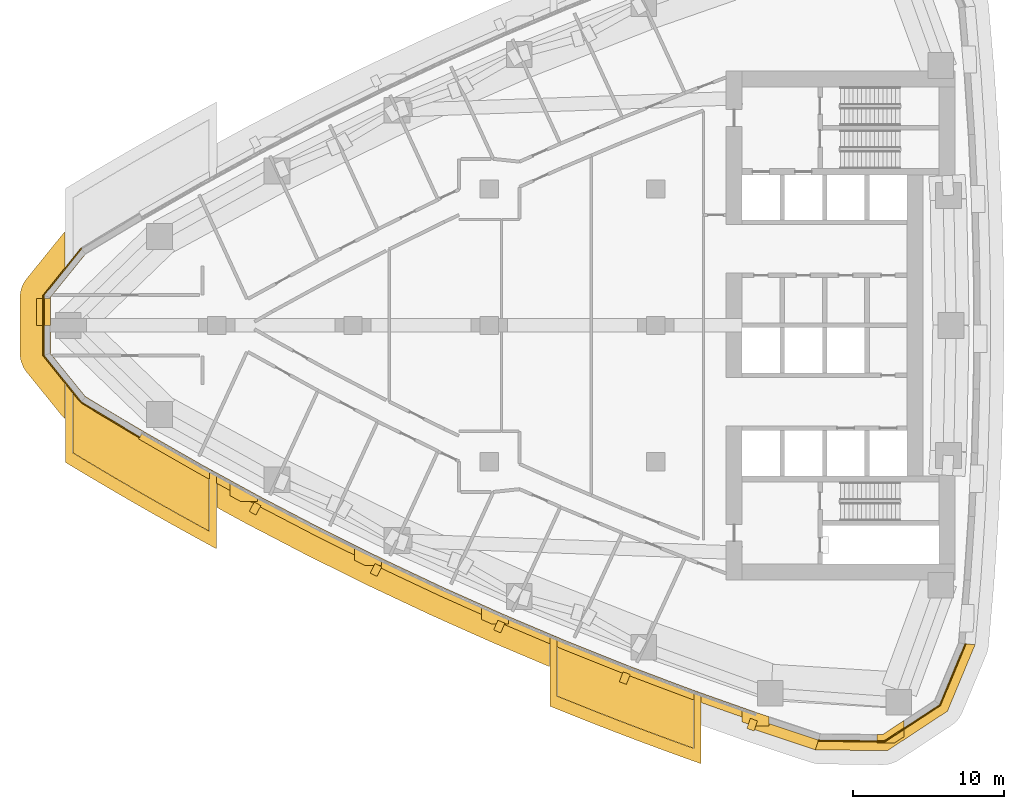
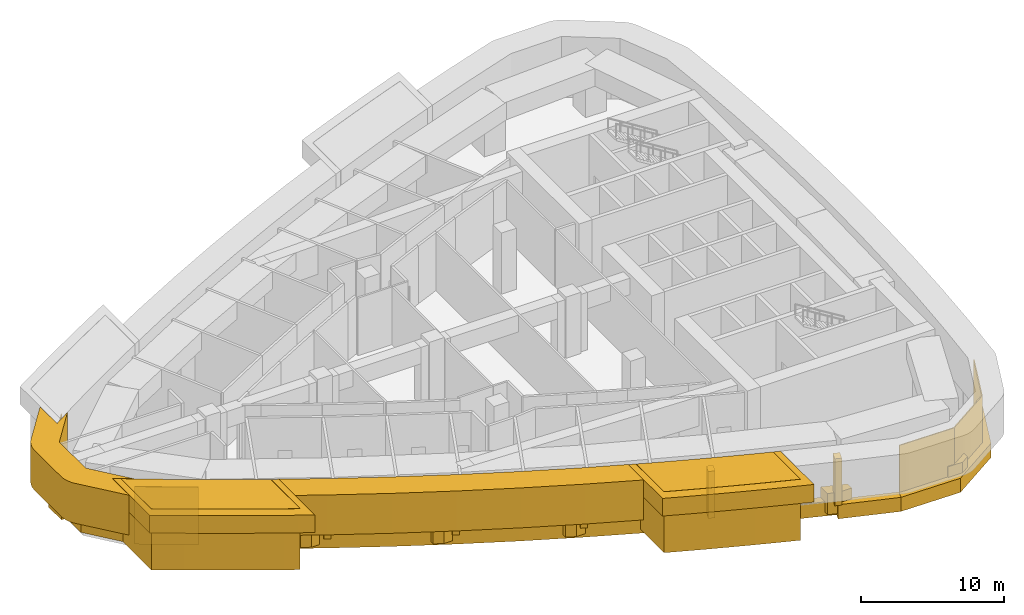
# One storey, part 15 of 19: 27 coverings.
"""IFC4 building model written with IfcOpenShell, lengths in metres."""

from ifc_helpers import new_model, si_unit, direction, frame, frame_2d, origin, place, context, subcontext, project, spatial, polyline, rectangle, outline, extrude, material, layer, layer_set, type_object, element, save


model = new_model("IFC4")

# Units and contexts
model_context = context("Model", 3, precision=1e-05, world=origin(), true_north=direction((0.0, 1.0)))
body_context = subcontext(model_context, "Body", "Model", "MODEL_VIEW")
ifc_project = project(units=[si_unit("LENGTHUNIT", "METRE"), si_unit("AREAUNIT", "SQUARE_METRE"), si_unit("VOLUMEUNIT", "CUBIC_METRE"), si_unit("PLANEANGLEUNIT", "RADIAN"), si_unit("MASSUNIT", "GRAM", prefix="KILO")], contexts=[model_context])

# Site, building, storey
site_placement = place(None, origin())
site = spatial("IfcSite", under=ifc_project, at=site_placement, CompositionType="ELEMENT")
building_placement = place(site_placement, origin())
building = spatial("IfcBuilding", under=site, at=building_placement, Name="Ostrand Prow Hotel Tower", CompositionType="ELEMENT")
storey_placement = place(building_placement, frame((0.0, 0.0, 120.39990234375)))
storey = spatial("IfcBuildingStorey", under=building, at=storey_placement, Name="L29", CompositionType="ELEMENT", Elevation=120.39990234375)

# Coverings
ifc_material_1 = material(Name="Limestone cladding", Category="masonry")
ifc_layer_1 = layer(ifc_material_1, 2.0)
ifc_layer_set_1 = layer_set([ifc_layer_1], Name="Limestone cladding")
covering_type_1 = type_object("IfcCoveringType", Name="Belt lip limestone", PredefinedType="CLADDING", material=ifc_layer_set_1)
covering_1_placement = place(storey_placement, frame((0.0, 0.0, 1.800048828125)))
element("IfcCovering", 1, at=covering_1_placement, inside=storey, type_object=covering_type_1, Name="Belt L29 1", PredefinedType="CLADDING", context=body_context, shape_type="SweptSolid", body=[
    extrude(outline(polyline([(5.878173828125, -6.0771484375), (5.989990234375, -6.183349609375), (5.989990234375, -3.873779296875), (5.989990234375, -3.872802734375), (5.990234375, -3.871826171875), (5.990478515625, -3.870849609375), (5.99072265625, -3.869873046875), (5.9912109375, -3.869140625), (5.99169921875, -3.8681640625), (5.9921875, -3.867431640625), (5.992919921875, -3.86669921875), (5.993408203125, -3.8662109375), (5.994384765625, -3.865478515625), (5.9951171875, -3.864990234375), (5.99609375, -3.864501953125), (5.996826171875, -3.8642578125), (5.997802734375, -3.864013671875), (5.998779296875, -3.86376953125), (5.999755859375, -3.86376953125), (6.000732421875, -3.86376953125), (6.001708984375, -3.86376953125), (6.002685546875, -3.864013671875), (6.00341796875, -3.8642578125), (6.00439453125, -3.86474609375), (6.00537109375, -3.865234375), (6.755859375, -4.330078125), (7.255859375, -4.63818359375), (7.296875, -4.6630859375), (5.00830078125, -1.8349609375), (5.00830078125, 1.8349609375), (7.296875, 4.6630859375), (7.255859375, 4.63818359375), (6.755859375, 4.330078125), (6.00537109375, 3.865234375), (6.00439453125, 3.86474609375), (6.00341796875, 3.8642578125), (6.002685546875, 3.864013671875), (6.001708984375, 3.86376953125), (6.000732421875, 3.86376953125), (5.999755859375, 3.86376953125), (5.998779296875, 3.86376953125), (5.997802734375, 3.864013671875), (5.996826171875, 3.8642578125), (5.99609375, 3.864501953125), (5.9951171875, 3.864990234375), (5.994384765625, 3.865478515625), (5.993408203125, 3.8662109375), (5.992919921875, 3.86669921875), (5.9921875, 3.867431640625), (5.99169921875, 3.8681640625), (5.9912109375, 3.869140625), (5.99072265625, 3.869873046875), (5.990478515625, 3.870849609375), (5.990234375, 3.871826171875), (5.989990234375, 3.872802734375), (5.989990234375, 3.873779296875), (5.989990234375, 6.183349609375), (5.878173828125, 6.0771484375), (5.76220703125, 5.946044921875), (3.45361328125, 3.093017578125), (3.3388671875, 2.936279296875), (3.23974609375, 2.76904296875), (3.157470703125, 2.593017578125), (3.0927734375, 2.409912109375), (3.0458984375, 2.22119140625), (3.017578125, 2.029052734375), (3.00830078125, 1.8349609375), (3.00830078125, -1.8349609375), (3.017578125, -2.029052734375), (3.0458984375, -2.22119140625), (3.0927734375, -2.409912109375), (3.157470703125, -2.593017578125), (3.23974609375, -2.76904296875), (3.3388671875, -2.936279296875), (3.45361328125, -3.093017578125), (5.76220703125, -5.946044921875), (5.878173828125, -6.0771484375)])), origin(), (0.0, 0.0, 1.0), 3.400146484375),
])
covering_2_placement = place(storey_placement, frame((0.0, 0.0, 1.800048828125)))
element("IfcCovering", 2, at=covering_2_placement, inside=storey, type_object=covering_type_1, Name="Belt L29 2", PredefinedType="CLADDING", context=body_context, shape_type="SweptSolid", body=[
    extrude(outline(polyline([(34.22509765625, -20.951904296875), (37.989990234375, -22.5439453125), (37.989990234375, -20.38623046875), (37.989990234375, -20.38525390625), (37.990234375, -20.38427734375), (37.990478515625, -20.38330078125), (37.99072265625, -20.382568359375), (37.9912109375, -20.381591796875), (37.99169921875, -20.380615234375), (37.9921875, -20.3798828125), (37.992919921875, -20.379150390625), (37.99365234375, -20.378662109375), (37.994384765625, -20.3779296875), (37.995361328125, -20.37744140625), (37.99609375, -20.376953125), (37.9970703125, -20.376708984375), (37.998046875, -20.37646484375), (37.9990234375, -20.376220703125), (37.9990234375, -20.376220703125), (35.004150390625, -19.10986328125), (30.928955078125, -17.289306640625), (26.89111328125, -15.3876953125), (22.89208984375, -13.4052734375), (18.93359375, -11.343505859375), (16.0087890625, -9.74462890625), (16.0087890625, -9.744873046875), (16.00927734375, -9.74560546875), (16.009521484375, -9.74658203125), (16.009765625, -9.74755859375), (16.010009765625, -9.74853515625), (16.010009765625, -9.74951171875), (16.010009765625, -12.024658203125), (17.974365234375, -13.098388671875), (18.009765625, -13.1171875), (21.96826171875, -15.17919921875), (22.00390625, -15.197265625), (26.0029296875, -17.179443359375), (26.038818359375, -17.197021484375), (30.076904296875, -19.0986328125), (30.11328125, -19.115478515625), (34.1884765625, -20.935791015625), (34.22509765625, -20.951904296875)])), origin(), (0.0, 0.0, 1.0), 3.400146484375),
])
covering_3_placement = place(storey_placement, origin())
element("IfcCovering", 3, at=covering_3_placement, inside=storey, type_object=covering_type_1, Name="Belt fin 1 L29", PredefinedType="CLADDING", context=body_context, shape_type="SweptSolid", body=[
    extrude(outline(polyline([(4.1083984375, 1.785888671875), (4.1083984375, 0.0), (4.1083984375, -0.013916015625), (5.00830078125, -0.013916015625), (5.00830078125, 1.785888671875), (4.1083984375, 1.785888671875)])), origin(), (0.0, 0.0, 1.0), 1.800048828125),
])
covering_4_placement = place(storey_placement, origin())
element("IfcCovering", 4, at=covering_4_placement, inside=storey, type_object=covering_type_1, Name="Belt fin 3 L29", PredefinedType="CLADDING", context=body_context, shape_type="SweptSolid", body=[
    extrude(outline(polyline([(16.888671875, -11.251220703125), (17.558837890625, -11.61767578125), (18.688720703125, -11.61767578125), (18.688720703125, -11.209716796875), (16.888671875, -10.2255859375), (16.888671875, -11.251220703125)])), origin(), (0.0, 0.0, 1.0), 1.800048828125),
])
covering_5_placement = place(storey_placement, origin())
element("IfcCovering", 5, at=covering_5_placement, inside=storey, type_object=covering_type_1, Name="Belt fin 4 L29", PredefinedType="CLADDING", context=body_context, shape_type="SweptSolid", body=[
    extrude(outline(polyline([(25.10107421875, -15.5048828125), (25.790283203125, -15.846435546875), (26.901123046875, -15.846435546875), (26.901123046875, -15.392333984375), (26.89111328125, -15.3876953125), (25.10107421875, -14.500244140625), (25.10107421875, -15.5048828125)])), origin(), (0.0, 0.0, 1.0), 1.800048828125),
])
covering_6_placement = place(storey_placement, origin())
element("IfcCovering", 6, at=covering_6_placement, inside=storey, type_object=covering_type_1, Name="Belt fin 5 L29", PredefinedType="CLADDING", context=body_context, shape_type="SweptSolid", body=[
    extrude(outline(polyline([(33.481689453125, -19.415283203125), (34.189697265625, -19.731689453125), (35.281494140625, -19.731689453125), (35.281494140625, -19.22705078125), (35.004150390625, -19.10986328125), (33.481689453125, -18.4296875), (33.481689453125, -19.415283203125)])), origin(), (0.0, 0.0, 1.0), 1.800048828125),
])
covering_7_placement = place(storey_placement, origin())
element("IfcCovering", 7, at=covering_7_placement, inside=storey, type_object=covering_type_1, Name="Belt fin 7 L29", PredefinedType="CLADDING", context=body_context, shape_type="SweptSolid", body=[
    extrude(outline(polyline([(51.36181640625, -26.419189453125), (51.440185546875, -26.4453125), (52.4892578125, -26.4453125), (52.4892578125, -25.8447265625), (51.644775390625, -25.56494140625), (50.689208984375, -25.22705078125), (50.689208984375, -26.181640625), (51.344482421875, -26.41357421875), (51.36181640625, -26.419189453125)])), origin(), (0.0, 0.0, 1.0), 1.800048828125),
])
covering_8_placement = place(storey_placement, origin())
element("IfcCovering", 8, at=covering_8_placement, inside=storey, type_object=covering_type_1, Name="Belt fin 8 L29", PredefinedType="CLADDING", context=body_context, shape_type="SweptSolid", body=[
    extrude(outline(polyline([(60.765380859375, -27.5830078125), (61.39599609375, -27.168212890625), (61.39599609375, -26.0908203125), (59.982666015625, -27.020751953125), (59.595947265625, -27.015869140625), (59.595947265625, -27.5830078125), (60.765380859375, -27.5830078125)])), origin(), (0.0, 0.0, 1.0), 1.800048828125),
])
ifc_material_2 = material(Name="Bronze anodised aluminium cladding", Category="aluminium")
ifc_layer_2 = layer(ifc_material_2, 0.60009765625)
ifc_layer_set_2 = layer_set([ifc_layer_2], Name="Bronze anodised aluminium cladding")
covering_type_2 = type_object("IfcCoveringType", Name="Bronze spandrel band 1200x600", PredefinedType="CLADDING", material=ifc_layer_set_2)
covering_9_placement = place(storey_placement, frame((0.0, 0.0, -0.2998046875)))
element("IfcCovering", 9, at=covering_9_placement, inside=storey, type_object=covering_type_2, Name="Spandrel band S1", PredefinedType="CLADDING", context=body_context, shape_type="SweptSolid", body=[
    extrude(outline(polyline([(10.841064453125, -7.50146484375), (14.72412109375, -9.726318359375), (18.651123046875, -11.872802734375), (22.620361328125, -13.940185546875), (26.6298828125, -15.927734375), (30.6787109375, -17.834716796875), (34.764892578125, -19.659912109375), (38.88671875, -21.4033203125), (43.042724609375, -23.0634765625), (47.231201171875, -24.64013671875), (51.4501953125, -26.1328125), (51.644775390625, -25.56494140625), (47.43701171875, -24.076416015625), (43.259765625, -22.504150390625), (39.114990234375, -20.848388671875), (35.004150390625, -19.10986328125), (30.928955078125, -17.289306640625), (26.89111328125, -15.3876953125), (22.89208984375, -13.4052734375), (18.93359375, -11.343505859375), (15.01708984375, -9.20263671875), (11.144287109375, -6.98388671875), (10.841064453125, -7.50146484375)])), origin(), (0.0, 0.0, 1.0), 1.199951171875),
])
covering_10_placement = place(storey_placement, frame((0.0, 0.0, -0.2998046875)))
element("IfcCovering", 10, at=covering_10_placement, inside=storey, type_object=covering_type_2, Name="Spandrel band back 1", PredefinedType="CLADDING", context=body_context, shape_type="SweptSolid", body=[
    extrude(outline(polyline([(51.28369140625, -26.619384765625), (55.54150390625, -28.0302734375), (55.7490234375, -27.3828125), (51.50390625, -25.97607421875), (51.28369140625, -26.619384765625)])), origin(), (0.0, 0.0, 1.0), 1.199951171875),
])
covering_11_placement = place(storey_placement, frame((0.0, 0.0, -0.2998046875)))
element("IfcCovering", 11, at=covering_11_placement, inside=storey, type_object=covering_type_2, Name="Spandrel band back 2", PredefinedType="CLADDING", context=body_context, shape_type="SweptSolid", body=[
    extrude(outline(polyline([(55.54150390625, -28.0302734375), (60.2958984375, -28.09033203125), (64.267578125, -25.476806640625), (66.09326171875, -21.086669921875), (65.49609375, -21.02880859375), (63.805419921875, -25.093994140625), (60.127197265625, -27.514404296875), (55.724609375, -27.458984375), (55.54150390625, -28.0302734375)])), origin(), (0.0, 0.0, 1.0), 1.199951171875),
])
ifc_material_3 = material(Name="Limestone cladding", Category="masonry")
ifc_layer_3 = layer(ifc_material_3, 5.0)
ifc_layer_set_3 = layer_set([ifc_layer_3], Name="Limestone cladding")
covering_type_3 = type_object("IfcCoveringType", Name="Portal jamb pilaster limestone", PredefinedType="CLADDING", material=ifc_layer_set_3)
covering_12_placement = place(storey_placement, origin())
element("IfcCovering", 12, at=covering_12_placement, inside=storey, type_object=covering_type_3, Name="Portal jamb SA L29", PredefinedType="CLADDING", context=body_context, shape_type="SweptSolid", body=[
    extrude(outline(polyline([(6.5, -4.184326171875), (6.5, -8.40625), (7.5, -9.0087890625), (8.5, -9.604248046875), (9.5, -10.19287109375), (10.5, -10.7744140625), (11.5, -11.349365234375), (12.5, -11.91748046875), (13.5, -12.478759765625), (14.5, -13.03369140625), (15.5, -13.581787109375), (15.5, -9.47216796875), (14.5, -8.912353515625), (13.5, -8.345703125), (12.5, -7.772216796875), (11.5, -7.19189453125), (10.5, -6.6044921875), (9.5, -6.01025390625), (8.5, -5.40869140625), (7.5, -4.80029296875), (6.5, -4.184326171875)])), origin(), (0.0, 0.0, 1.0), 5.2001953125),
])
covering_13_placement = place(storey_placement, origin())
element("IfcCovering", 13, at=covering_13_placement, inside=storey, type_object=covering_type_3, Name="Portal jamb SB L29", PredefinedType="CLADDING", context=body_context, shape_type="SweptSolid", body=[
    extrude(outline(polyline([(38.5, -20.59423828125), (38.5, -24.486083984375), (39.5, -24.890380859375), (40.5, -25.2890625), (41.5, -25.68212890625), (42.5, -26.06982421875), (43.5, -26.4521484375), (44.5, -26.8291015625), (45.5, -27.200439453125), (46.5, -27.566650390625), (47.5, -27.927490234375), (47.5, -24.099609375), (46.5, -23.732177734375), (45.5, -23.359130859375), (44.5, -22.98095703125), (43.5, -22.59716796875), (42.5, -22.207763671875), (41.5, -21.812744140625), (40.5, -21.412353515625), (39.5, -21.006103515625), (38.5, -20.59423828125)])), origin(), (0.0, 0.0, 1.0), 5.2001953125),
])
ifc_material_4 = material(Name="Limestone cladding", Category="masonry")
ifc_layer_4 = layer(ifc_material_4, 4.0)
ifc_layer_set_4 = layer_set([ifc_layer_4], Name="Limestone cladding")
covering_type_4 = type_object("IfcCoveringType", Name="Portal lintel limestone", PredefinedType="CLADDING", material=ifc_layer_set_4)
covering_14_placement = place(storey_placement, frame((0.0, 0.0, 3.7001953125)))
element("IfcCovering", 14, at=covering_14_placement, inside=storey, type_object=covering_type_4, Name="Portal jamb cap SA L29", PredefinedType="CLADDING", context=body_context, shape_type="SweptSolid", body=[
    extrude(outline(polyline([(6.491943359375, -4.178466796875), (6.0, -3.873779296875), (6.0, -9.038818359375), (7.0, -9.641845703125), (8.0, -10.23779296875), (9.0, -10.8271484375), (10.0, -11.409423828125), (11.0, -11.98486328125), (12.0, -12.5537109375), (13.0, -13.115966796875), (14.0, -13.67138671875), (15.0, -14.220458984375), (16.0, -14.7626953125), (16.0, -9.74951171875), (15.510009765625, -9.476806640625), (15.510009765625, -13.581787109375), (15.510009765625, -13.582763671875), (15.509765625, -13.583740234375), (15.509521484375, -13.584716796875), (15.50927734375, -13.585693359375), (15.5087890625, -13.586669921875), (15.50830078125, -13.58740234375), (15.5078125, -13.588134765625), (15.507080078125, -13.5888671875), (15.50634765625, -13.589599609375), (15.505615234375, -13.590087890625), (15.504638671875, -13.5908203125), (15.50390625, -13.591064453125), (15.502685546875, -13.59130859375), (15.501953125, -13.591552734375), (15.5009765625, -13.591796875), (15.5, -13.591796875), (15.498779296875, -13.591796875), (15.498046875, -13.591552734375), (15.4970703125, -13.59130859375), (15.49609375, -13.591064453125), (15.4951171875, -13.590576171875), (14.4951171875, -13.04248046875), (14.4951171875, -13.042236328125), (13.4951171875, -12.487548828125), (13.4951171875, -12.487548828125), (12.4951171875, -11.926025390625), (12.4951171875, -11.926025390625), (11.4951171875, -11.35791015625), (11.4951171875, -11.35791015625), (10.4951171875, -10.783203125), (10.4951171875, -10.783203125), (9.4951171875, -10.201416015625), (9.494873046875, -10.201416015625), (8.494873046875, -9.61279296875), (8.494873046875, -9.61279296875), (7.494873046875, -9.017333984375), (7.494873046875, -9.017333984375), (6.494873046875, -8.414794921875), (6.493896484375, -8.414306640625), (6.4931640625, -8.41357421875), (6.492431640625, -8.412841796875), (6.49169921875, -8.412109375), (6.4912109375, -8.4111328125), (6.49072265625, -8.410400390625), (6.490478515625, -8.4091796875), (6.490234375, -8.408447265625), (6.489990234375, -8.4072265625), (6.489990234375, -8.40625), (6.489990234375, -4.184326171875), (6.489990234375, -4.183349609375), (6.490234375, -4.182373046875), (6.490478515625, -4.181396484375), (6.49072265625, -4.1806640625), (6.4912109375, -4.1796875), (6.49169921875, -4.178955078125), (6.491943359375, -4.178466796875)])), origin(), (0.0, 0.0, 1.0), 1.5),
])
covering_15_placement = place(storey_placement, frame((0.0, 0.0, 3.7001953125)))
element("IfcCovering", 15, at=covering_15_placement, inside=storey, type_object=covering_type_4, Name="Portal jamb cap SB L29", PredefinedType="CLADDING", context=body_context, shape_type="SweptSolid", body=[
    extrude(outline(polyline([(38.490966796875, -20.58984375), (38.0, -20.38623046875), (38.0, -25.146240234375), (39.0, -25.551513671875), (40.0, -25.951416015625), (41.0, -26.345703125), (42.0, -26.734619140625), (43.0, -27.117919921875), (44.0, -27.49609375), (45.0, -27.86865234375), (46.0, -28.236083984375), (47.0, -28.597900390625), (48.0, -28.95458984375), (48.0, -24.28125), (47.510009765625, -24.1025390625), (47.510009765625, -27.927490234375), (47.510009765625, -27.928466796875), (47.509765625, -27.929443359375), (47.509521484375, -27.930419921875), (47.50927734375, -27.93115234375), (47.5087890625, -27.93212890625), (47.50830078125, -27.932861328125), (47.5078125, -27.93359375), (47.507080078125, -27.934326171875), (47.506591796875, -27.93505859375), (47.505615234375, -27.935546875), (47.5048828125, -27.93603515625), (47.504150390625, -27.9365234375), (47.503173828125, -27.93701171875), (47.502197265625, -27.937255859375), (47.501220703125, -27.9375), (47.50048828125, -27.9375), (47.49951171875, -27.9375), (47.49853515625, -27.937255859375), (47.49755859375, -27.93701171875), (47.49658203125, -27.93701171875), (46.49658203125, -27.575927734375), (46.49658203125, -27.575927734375), (45.49658203125, -27.2099609375), (45.49658203125, -27.2099609375), (44.49658203125, -26.83837890625), (44.49658203125, -26.83837890625), (43.49658203125, -26.46142578125), (43.496337890625, -26.46142578125), (42.496337890625, -26.0791015625), (42.496337890625, -26.0791015625), (41.496337890625, -25.69140625), (41.496337890625, -25.69140625), (40.496337890625, -25.29833984375), (40.496337890625, -25.29833984375), (39.496337890625, -24.899658203125), (39.496337890625, -24.899658203125), (38.496337890625, -24.49560546875), (38.495361328125, -24.4951171875), (38.494384765625, -24.49462890625), (38.49365234375, -24.493896484375), (38.492919921875, -24.493408203125), (38.4921875, -24.49267578125), (38.49169921875, -24.49169921875), (38.4912109375, -24.490966796875), (38.49072265625, -24.489990234375), (38.490478515625, -24.489013671875), (38.490234375, -24.48828125), (38.489990234375, -24.4873046875), (38.489990234375, -24.486083984375), (38.489990234375, -20.59423828125), (38.489990234375, -20.59326171875), (38.490234375, -20.59228515625), (38.490478515625, -20.59130859375), (38.49072265625, -20.590576171875), (38.490966796875, -20.58984375)])), origin(), (0.0, 0.0, 1.0), 1.5),
])
ifc_material_5 = material(Name="Limestone cladding", Category="masonry")
ifc_layer_5 = layer(ifc_material_5, 0.5)
ifc_layer_set_5 = layer_set([ifc_layer_5], Name="Limestone cladding")
covering_type_5 = type_object("IfcCoveringType", Name="Precast stone fin 500x600", PredefinedType="CLADDING", material=ifc_layer_set_5)
covering_16_placement = place(storey_placement, frame((18.6982421875, -11.78466796875, 0.900146484375), z_axis=(0.0, 0.0, 1.0), x_axis=(-0.470914095304, -0.882179071869, 0.0)))
element("IfcCovering", 16, at=covering_16_placement, inside=storey, type_object=covering_type_5, Name="Stone fin S 3", PredefinedType="CLADDING", context=body_context, shape_type="SweptSolid", body=[
    extrude(rectangle(XDim=0.699951171875, YDim=0.5, at=frame_2d((0.35009765625, 0.0))), origin(), (0.0, 0.0, 1.0), 4.0),
])
covering_17_placement = place(storey_placement, frame((26.673583984375, -15.837646484375, 0.900146484375), z_axis=(0.0, 0.0, 1.0), x_axis=(-0.435178082729, -0.900344398723, 0.0)))
element("IfcCovering", 17, at=covering_17_placement, inside=storey, type_object=covering_type_5, Name="Stone fin S 5", PredefinedType="CLADDING", context=body_context, shape_type="SweptSolid", body=[
    extrude(rectangle(XDim=0.7001953125, YDim=0.5, at=frame_2d((0.35009765625, 0.0))), origin(), (0.0, 0.0, 1.0), 4.0),
])
for number, where, z_axis, x_axis, name in (
    (18, (34.8046875, -19.568359375, 0.900146484375), (0.0, 0.0, 1.0), (-0.398713356045, -0.917075601961, 0.0), "Stone fin S 7"),
    (19, (43.0791015625, -22.97021484375, 0.900146484375), (0.0, 0.0, 1.0), (-0.36199182799, -0.932181268031, 0.0), "Stone fin S 9"),
    (20, (51.482666015625, -26.0380859375, 0.900146484375), (0.0, 0.0, 1.0), (-0.324065681594, -0.946034583941, 0.0), "Stone fin S 11"),
):
    element("IfcCovering", number, at=place(storey_placement, frame(where, z_axis=z_axis, x_axis=x_axis)), inside=storey, type_object=covering_type_5, Name=name, PredefinedType="CLADDING", context=body_context, shape_type="SweptSolid", body=[
        extrude(rectangle(XDim=0.699951171875, YDim=0.5, at=frame_2d((0.35009765625, 0.0))), origin(), (0.0, 0.0, 1.0), 4.0),
    ])
ifc_material_6 = material(Name="Limestone cladding", Category="masonry")
ifc_layer_6 = layer(ifc_material_6, 0.080078125)
ifc_layer_set_6 = layer_set([ifc_layer_6], Name="Limestone cladding")
covering_type_6 = type_object("IfcCoveringType", Name="Warm limestone cladding 80 mm", PredefinedType="CLADDING", material=ifc_layer_set_6)
covering_18_placement = place(storey_placement, frame((7.06884765625, 5.09228515625, 0.0), z_axis=(0.0, 0.0, 1.0), x_axis=(-0.629076660022, -0.777343267685, 0.0)))
element("IfcCovering", 21, at=covering_18_placement, inside=storey, type_object=covering_type_6, Name="Limestone cladding prow 2", PredefinedType="CLADDING", context=body_context, shape_type="SweptSolid", body=[
    extrude(outline(polyline([(-0.007080078125, -0.0400390625), (4.000732421875, -0.0400390625), (3.972412109375, 0.0400390625), (0.007080078125, 0.0400390625), (-0.007080078125, -0.0400390625)])), origin(), (0.0, 0.0, 1.0), 4.900146484375),
])
covering_19_placement = place(storey_placement, frame((4.56103515625, 1.993408203125, 0.0), z_axis=(0.0, 0.0, 1.0), x_axis=(0.0, -1.0, 0.0)))
element("IfcCovering", 22, at=covering_19_placement, inside=storey, type_object=covering_type_6, Name="Limestone cladding prow 3", PredefinedType="CLADDING", context=body_context, shape_type="SweptSolid", body=[
    extrude(outline(polyline([(-0.01416015625, -0.0400390625), (4.0009765625, -0.0400390625), (3.97265625, 0.0400390625), (0.01416015625, 0.0400390625), (-0.01416015625, -0.0400390625)])), origin(), (0.0, 0.0, 1.0), 4.900146484375),
])
covering_20_placement = place(storey_placement, frame((4.56103515625, -1.993408203125, 0.0), z_axis=(0.0, 0.0, 1.0), x_axis=(0.629076660022, -0.777343267685, 0.0)))
element("IfcCovering", 23, at=covering_20_placement, inside=storey, type_object=covering_type_6, Name="Limestone cladding prow 4", PredefinedType="CLADDING", context=body_context, shape_type="SweptSolid", body=[
    extrude(outline(polyline([(-0.01416015625, -0.0400390625), (3.99365234375, -0.0400390625), (3.9794921875, 0.0400390625), (0.01416015625, 0.0400390625), (-0.01416015625, -0.0400390625)])), origin(), (0.0, 0.0, 1.0), 4.900146484375),
])
covering_21_placement = place(storey_placement, frame((7.06884765625, -5.09228515625, 0.0), z_axis=(0.0, 0.0, 1.0), x_axis=(0.857531451493, -0.514431540343, 0.0)))
element("IfcCovering", 24, at=covering_21_placement, inside=storey, type_object=covering_type_6, Name="Limestone cladding prow 5", PredefinedType="CLADDING", context=body_context, shape_type="SweptSolid", body=[
    extrude(outline(polyline([(-0.007080078125, -0.0400390625), (4.472900390625, -0.0400390625), (4.472900390625, 0.0400390625), (0.007080078125, 0.0400390625), (-0.007080078125, -0.0400390625)])), origin(), (0.0, 0.0, 1.0), 4.900146484375),
])
covering_22_placement = place(storey_placement, frame((55.73681640625, -27.4208984375, 0.0), z_axis=(0.0, 0.0, 1.0), x_axis=(0.999920633805, -0.012598654359, 0.0)))
element("IfcCovering", 25, at=covering_22_placement, inside=storey, type_object=covering_type_6, Name="Limestone cladding back 2", PredefinedType="CLADDING", context=body_context, shape_type="SweptSolid", body=[
    extrude(outline(polyline([(-0.006103515625, -0.0400390625), (4.3916015625, -0.0400390625), (4.3671875, 0.0400390625), (0.006103515625, 0.0400390625), (-0.006103515625, -0.0400390625)])), origin(), (0.0, 0.0, 1.0), 4.900146484375),
])
covering_23_placement = place(storey_placement, frame((60.115966796875, -27.47607421875, 0.0), z_axis=(0.0, 0.0, 1.0), x_axis=(0.835354433247, 0.549711716133, 0.0)))
element("IfcCovering", 26, at=covering_23_placement, inside=storey, type_object=covering_type_6, Name="Limestone cladding back 3", PredefinedType="CLADDING", context=body_context, shape_type="SweptSolid", body=[
    extrude(outline(polyline([(-0.01220703125, -0.0400390625), (4.3916015625, -0.0400390625), (4.3671875, 0.0400390625), (0.01220703125, 0.0400390625), (-0.01220703125, -0.0400390625)])), origin(), (0.0, 0.0, 1.0), 4.900146484375),
])
covering_24_placement = place(storey_placement, frame((63.7744140625, -25.068603515625, 0.0), z_axis=(0.0, 0.0, 1.0), x_axis=(0.384033439853, 0.92331918483, 0.0)))
element("IfcCovering", 27, at=covering_24_placement, inside=storey, type_object=covering_type_6, Name="Limestone cladding back 4", PredefinedType="CLADDING", context=body_context, shape_type="SweptSolid", body=[
    extrude(outline(polyline([(-0.01220703125, -0.0400390625), (4.3857421875, -0.0400390625), (4.37353515625, 0.0400390625), (0.01220703125, 0.0400390625), (-0.01220703125, -0.0400390625)])), origin(), (0.0, 0.0, 1.0), 4.900146484375),
])

save(model, "model.ifc")
